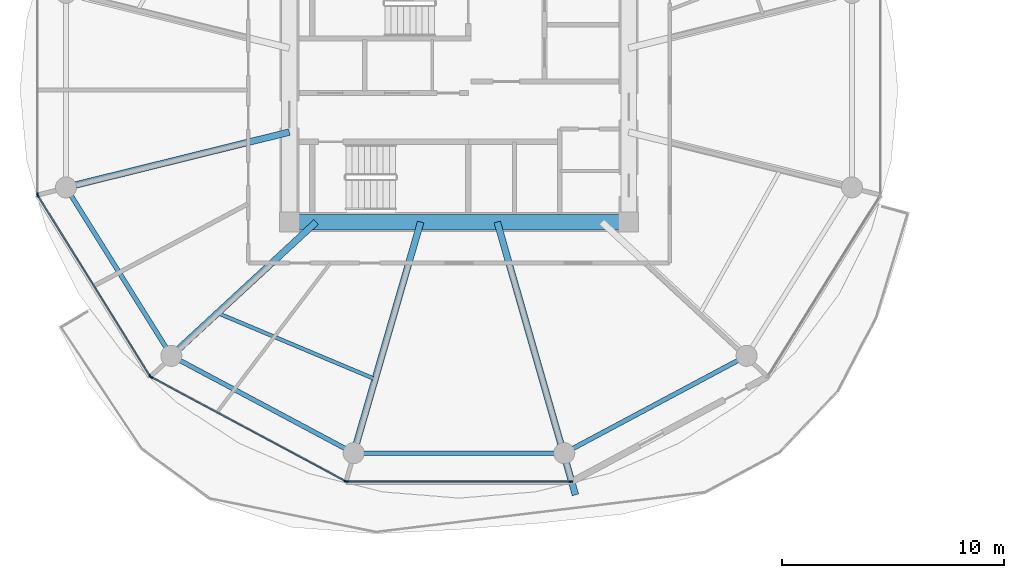
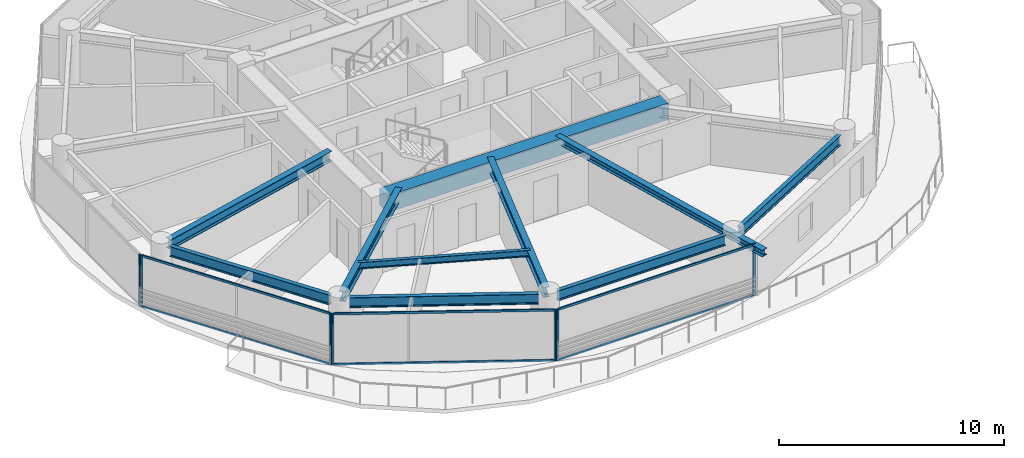
# One storey, part 2 of 26: 13 members, 10 beams, 4 elements without a shape of their own.
"""IFC4 building model written with IfcOpenShell, lengths in metres."""

from ifc_helpers import new_model, si_unit, direction, frame, origin, origin_2d, place, context, subcontext, project, spatial, rectangle, i_section, extrude, source, transform, mapped, material, layer, layer_set, material_profile, profile_set, type_object, type_shapes, element, aggregate, save


model = new_model("IFC4")

# Units and contexts
model_context = context("Model", 3, precision=1e-05, world=origin(), true_north=direction((0.0, 1.0)))
body_context = subcontext(model_context, "Body", "Model", "MODEL_VIEW")
ifc_project = project(units=[si_unit("LENGTHUNIT", "METRE"), si_unit("AREAUNIT", "SQUARE_METRE"), si_unit("VOLUMEUNIT", "CUBIC_METRE"), si_unit("PLANEANGLEUNIT", "RADIAN"), si_unit("MASSUNIT", "GRAM", prefix="KILO")], contexts=[model_context])

# Site, building, storey
site_placement = place(None, origin())
site = spatial("IfcSite", under=ifc_project, at=site_placement, CompositionType="ELEMENT")
building_placement = place(site_placement, origin())
building = spatial("IfcBuilding", under=site, at=building_placement, Name="Norrkilde Senior Care Towers", CompositionType="ELEMENT")
storey_placement = place(building_placement, frame((0.0, 0.0, 55.14990234375)))
storey = spatial("IfcBuildingStorey", under=building, at=storey_placement, Name="L16", CompositionType="ELEMENT", Elevation=55.14990234375)

# Beams
ifc_material_1 = material(Name="Concrete C60/75", Category="concrete")
ifc_material_profile_1 = material_profile(ifc_material_1, rectangle(XDim=0.699951171875, YDim=0.89990234375, at=origin_2d()), Name="RC BM 700x900")
ifc_profile_set_1 = profile_set([ifc_material_profile_1], Name="Concrete C60/75")
beam_type_1 = type_object("IfcBeamType", Name="Core Coupling Girder 700x900", PredefinedType="USERDEFINED", material=ifc_profile_set_1)
shared_shape_1 = source(origin(), body_context, "Body", "SweptSolid", [
    extrude(rectangle(XDim=0.699951171875, YDim=0.89990234375, at=origin_2d()), origin(), (0.0, 0.0, 1.0), 14.43994140625),
])
type_shapes(beam_type_1, [shared_shape_1])
beam_1_placement = place(storey_placement, frame((-35.219970703125, -5.949951171875, 2.340087890625), z_axis=(1.0, 0.0, 0.0), x_axis=(0.0, 1.0, 0.0)))
element("IfcBeam", 1, at=beam_1_placement, inside=storey, type_object=beam_type_1, Name="L16 Core W S Coupling Girder", ObjectType="GIRDER", PredefinedType="USERDEFINED", context=body_context, shape_type="MappedRepresentation", body=[
    mapped(shared_shape_1, transform((0.0, 0.0, 0.0), x_axis=(1.0, 0.0, 0.0), y_axis=(0.0, 1.0, 0.0), z_axis=(0.0, 0.0, 1.0), scale=1.0)),
])
ifc_material_2 = material(Name="Steel S355", Category="steel")
ifc_material_profile_2 = material_profile(ifc_material_2, i_section(OverallWidth=0.2099609375, OverallDepth=0.550048828125, WebThickness=0.010986328125, FlangeThickness=0.01708984375, FilletRadius=0.02392578125, at=origin_2d()), Name="IPE 550")
ifc_profile_set_2 = profile_set([ifc_material_profile_2], Name="Steel S355")
beam_type_2 = type_object("IfcBeamType", Name="Perimeter Ring Spandrel Z1 IPE550", PredefinedType="SPANDREL", material=ifc_profile_set_2)
shared_shape_2 = source(origin(), body_context, "Body", "SweptSolid", [
    extrude(i_section(OverallWidth=0.2099609375, OverallDepth=0.550048828125, WebThickness=0.010986328125, FlangeThickness=0.01708984375, FilletRadius=0.02392578125, at=origin_2d()), origin(), (0.0, 0.0, 1.0), 8.090576171875),
])
beam_2_placement = place(storey_placement, frame((-45.494140625, -4.755859375, 2.51513671875), z_axis=(0.530004364821, -0.84799491347, 0.0), x_axis=(0.84799491347, 0.530004364821, 0.0)))
element("IfcBeam", 2, at=beam_2_placement, inside=storey, type_object=beam_type_2, Name="L16 Drum W Perimeter Spandrel 07", PredefinedType="SPANDREL", context=body_context, shape_type="MappedRepresentation", body=[
    mapped(shared_shape_2, transform((0.0, 0.0, 0.0), x_axis=(1.0, 0.0, 0.0), y_axis=(0.0, 1.0, 0.0), z_axis=(0.0, 0.0, 1.0), scale=1.0)),
])
ifc_material_profile_3 = material_profile(ifc_material_2, i_section(OverallWidth=0.300048828125, OverallDepth=0.550048828125, WebThickness=0.014892578125, FlangeThickness=0.029052734375, FilletRadius=0.027099609375, at=origin_2d()), Name="HEB 550")
ifc_profile_set_3 = profile_set([ifc_material_profile_3], Name="Steel S355")
beam_type_3 = type_object("IfcBeamType", Name="Radial Floor Beam Z1 HEB550", PredefinedType="BEAM", material=ifc_profile_set_3)
shared_shape_3 = source(origin(), body_context, "Body", "SweptSolid", [
    extrude(i_section(OverallWidth=0.300048828125, OverallDepth=0.550048828125, WebThickness=0.014892578125, FlangeThickness=0.029052734375, FilletRadius=0.027099609375, at=origin_2d()), origin(), (0.0, 0.0, 1.0), 9.94384765625),
])
beam_3_placement = place(storey_placement, frame((-35.64990234375, -1.893310546875, 2.51513671875), z_axis=(-0.970707425182, -0.240264634718, 0.0), x_axis=(0.240264634718, -0.970707425182, 0.0)))
element("IfcBeam", 3, at=beam_3_placement, inside=storey, type_object=beam_type_3, Name="L16 Drum W Radial Floor Beam 07", PredefinedType="BEAM", context=body_context, shape_type="MappedRepresentation", body=[
    mapped(shared_shape_3, transform((0.0, 0.0, 0.0), x_axis=(1.0, 0.0, 0.0), y_axis=(0.0, 1.0, 0.0), z_axis=(0.0, 0.0, 1.0), scale=1.0)),
])
shared_shape_4 = source(origin(), body_context, "Body", "SweptSolid", [
    extrude(i_section(OverallWidth=0.2099609375, OverallDepth=0.550048828125, WebThickness=0.010986328125, FlangeThickness=0.01708984375, FilletRadius=0.02392578125, at=origin_2d()), origin(), (0.0, 0.0, 1.0), 8.452880859375),
])
for number, where, z_axis, x_axis, name in (
    (4, (-40.591552734375, -12.190185546875, 2.51513671875), (0.882368931134, -0.470558252898, 0.0), (0.470558252898, 0.882368931134, 0.0), "L16 Drum W Perimeter Spandrel 08"),
    (5, (-22.866943359375, -16.167724609375, 2.51513671875), (0.882368931134, 0.470558252898, 0.0), (-0.470558252898, 0.882368931134, 0.0), "L16 Drum W Perimeter Spandrel 10"),
):
    element("IfcBeam", number, at=place(storey_placement, frame(where, z_axis=z_axis, x_axis=x_axis)), inside=storey, type_object=beam_type_2, Name=name, PredefinedType="SPANDREL", context=body_context, shape_type="MappedRepresentation", body=[
        mapped(shared_shape_4, transform((0.0, 0.0, 0.0), x_axis=(1.0, 0.0, 0.0), y_axis=(0.0, 1.0, 0.0), z_axis=(0.0, 0.0, 1.0), scale=1.0)),
    ])
shared_shape_5 = source(origin(), body_context, "Body", "SweptSolid", [
    extrude(i_section(OverallWidth=0.300048828125, OverallDepth=0.550048828125, WebThickness=0.014892578125, FlangeThickness=0.029052734375, FilletRadius=0.027099609375, at=origin_2d()), origin(), (0.0, 0.0, 1.0), 8.459716796875),
])
beam_4_placement = place(storey_placement, frame((-34.44140625, -5.949951171875, 2.51513671875), z_axis=(-0.734573269108, -0.678529374686, 0.0), x_axis=(0.678529374686, -0.734573269108, 0.0)))
element("IfcBeam", 6, at=beam_4_placement, inside=storey, type_object=beam_type_3, Name="L16 Drum W Radial Floor Beam 08", PredefinedType="BEAM", context=body_context, shape_type="MappedRepresentation", body=[
    mapped(shared_shape_5, transform((0.0, 0.0, 0.0), x_axis=(1.0, 0.0, 0.0), y_axis=(0.0, 1.0, 0.0), z_axis=(0.0, 0.0, 1.0), scale=1.0)),
])
shared_shape_6 = source(origin(), body_context, "Body", "SweptSolid", [
    extrude(i_section(OverallWidth=0.2099609375, OverallDepth=0.550048828125, WebThickness=0.010986328125, FlangeThickness=0.01708984375, FilletRadius=0.02392578125, at=origin_2d()), origin(), (0.0, 0.0, 1.0), 8.62841796875),
])
type_shapes(beam_type_2, [shared_shape_2, shared_shape_4, shared_shape_6])
beam_5_placement = place(storey_placement, frame((-32.314208984375, -16.37255859375, 2.51513671875), z_axis=(1.0, 0.0, 0.0), x_axis=(0.0, 1.0, 0.0)))
element("IfcBeam", 7, at=beam_5_placement, inside=storey, type_object=beam_type_2, Name="L16 Drum W Perimeter Spandrel 09", PredefinedType="SPANDREL", context=body_context, shape_type="MappedRepresentation", body=[
    mapped(shared_shape_6, transform((0.0, 0.0, 0.0), x_axis=(1.0, 0.0, 0.0), y_axis=(0.0, 1.0, 0.0), z_axis=(0.0, 0.0, 1.0), scale=1.0)),
])
shared_shape_7 = source(origin(), body_context, "Body", "SweptSolid", [
    extrude(i_section(OverallWidth=0.300048828125, OverallDepth=0.550048828125, WebThickness=0.014892578125, FlangeThickness=0.029052734375, FilletRadius=0.027099609375, at=origin_2d()), origin(), (0.0, 0.0, 1.0), 10.4169921875),
])
type_shapes(beam_type_3, [shared_shape_3, shared_shape_5, shared_shape_7])
beam_6_placement = place(storey_placement, frame((-29.72607421875, -5.949951171875, 2.51513671875), z_axis=(-0.278591250785, -0.960409764104, 0.0), x_axis=(0.960409764104, -0.278591250785, 0.0)))
element("IfcBeam", 8, at=beam_6_placement, inside=storey, type_object=beam_type_3, Name="L16 Drum W Radial Floor Beam 09", PredefinedType="BEAM", context=body_context, shape_type="MappedRepresentation", body=[
    mapped(shared_shape_7, transform((0.0, 0.0, 0.0), x_axis=(1.0, 0.0, 0.0), y_axis=(0.0, 1.0, 0.0), z_axis=(0.0, 0.0, 1.0), scale=1.0)),
])
ifc_material_profile_4 = material_profile(ifc_material_2, i_section(OverallWidth=0.169921875, OverallDepth=0.360107421875, WebThickness=0.008056640625, FlangeThickness=0.0126953125, FilletRadius=0.01806640625, at=origin_2d()), Name="IPE 360")
ifc_profile_set_4 = profile_set([ifc_material_profile_4], Name="Steel S355")
beam_type_4 = type_object("IfcBeamType", Name="Secondary Floor Joist IPE360", PredefinedType="JOIST", material=ifc_profile_set_4)
shared_shape_8 = source(origin(), body_context, "Body", "SweptSolid", [
    extrude(i_section(OverallWidth=0.169921875, OverallDepth=0.360107421875, WebThickness=0.008056640625, FlangeThickness=0.0126953125, FilletRadius=0.01806640625, at=origin_2d()), origin(), (0.0, 0.0, 1.0), 7.703857421875),
])
type_shapes(beam_type_4, [shared_shape_8])
beam_7_placement = place(storey_placement, frame((-38.884521484375, -10.05419921875, 2.610107421875), z_axis=(0.921982784465, -0.387230868023, 0.0), x_axis=(0.387230868023, 0.921982784465, 0.0)))
element("IfcBeam", 9, at=beam_7_placement, inside=storey, type_object=beam_type_4, Name="L16 Drum W Secondary Floor Joist 3", PredefinedType="JOIST", context=body_context, shape_type="MappedRepresentation", body=[
    mapped(shared_shape_8, transform((0.0, 0.0, 0.0), x_axis=(1.0, 0.0, 0.0), y_axis=(0.0, 1.0, 0.0), z_axis=(0.0, 0.0, 1.0), scale=1.0)),
])
ifc_material_profile_5 = material_profile(ifc_material_2, i_section(OverallWidth=0.300048828125, OverallDepth=0.360107421875, WebThickness=0.012451171875, FlangeThickness=0.0224609375, FilletRadius=0.027099609375, at=origin_2d()), Name="HEB 360")
ifc_profile_set_5 = profile_set([ifc_material_profile_5], Name="Steel S355")
beam_type_5 = type_object("IfcBeamType", Name="Balcony Crest Cantilever Rib HEB360", PredefinedType="BEAM", material=ifc_profile_set_5)
shared_shape_9 = source(origin(), body_context, "Body", "SweptSolid", [
    extrude(i_section(OverallWidth=0.300048828125, OverallDepth=0.360107421875, WebThickness=0.012451171875, FlangeThickness=0.0224609375, FilletRadius=0.027099609375, at=origin_2d()), origin(), (0.0, 0.0, 1.0), 12.8017578125),
])
type_shapes(beam_type_5, [shared_shape_9])
beam_8_placement = place(storey_placement, frame((-26.27392578125, -5.949951171875, 2.610107421875), z_axis=(0.275572367371, -0.961280328698, 0.0), x_axis=(0.961280328698, 0.275572367371, 0.0)))
element("IfcBeam", 10, at=beam_8_placement, inside=storey, type_object=beam_type_5, Name="L16 Drum W Balcony Cantilever Rib", PredefinedType="BEAM", context=body_context, shape_type="MappedRepresentation", body=[
    mapped(shared_shape_9, transform((0.0, 0.0, 0.0), x_axis=(1.0, 0.0, 0.0), y_axis=(0.0, 1.0, 0.0), z_axis=(0.0, 0.0, 1.0), scale=1.0)),
])

# Curtain wall, member
ifc_material_3 = material(Name="Triple Low-E Insulated Glazing", Category="glass")
ifc_layer = layer(ifc_material_3, 0.199951171875)
ifc_layer_set = layer_set([ifc_layer], Name="Triple Low-E Insulated Glazing")
curtain_wall_type = type_object("IfcCurtainWallType", Name="CW2 Zone 1 Memory Care Curtain Wall", PredefinedType="NOTDEFINED", material=ifc_layer_set)
curtain_wall_1_placement = place(storey_placement, origin())
curtain_wall_1 = element("IfcCurtainWall", 11, at=curtain_wall_1_placement, inside=storey, type_object=curtain_wall_type, Name="L16 Drum W Curtain Wall 05", PredefinedType="NOTDEFINED")
ifc_material_4 = material(Name="Anodised Aluminium", Category="aluminium")
ifc_material_profile_6 = material_profile(ifc_material_4, rectangle(XDim=0.06494140625, YDim=0.159912109375, at=origin_2d()), Name="ALU MULL 65x160")
ifc_profile_set_6 = profile_set([ifc_material_profile_6], Name="Anodised Aluminium")
member_type_1 = type_object("IfcMemberType", Name="Curtain Wall Mullion Z1-Z2 65x160", PredefinedType="MULLION", material=ifc_profile_set_6)
shared_shape_10 = source(origin(), body_context, "Body", "SweptSolid", [
    extrude(rectangle(XDim=0.06494140625, YDim=0.159912109375, at=origin_2d()), origin(), (0.0, 0.0, 1.0), 2.7900390625),
])
type_shapes(member_type_1, [shared_shape_10])
member_1_placement = place(storey_placement, frame((-47.009521484375, -4.69873046875, 0.0), z_axis=(0.0, 0.0, 1.0), x_axis=(-1.0, 0.0, 0.0)))
member_1 = element("IfcMember", 12, at=member_1_placement, type_object=member_type_1, Name="CW-2 mullion 1", PredefinedType="MULLION", context=body_context, shape_type="MappedRepresentation", body=[
    mapped(shared_shape_10, transform((0.0, 0.0, 0.0), x_axis=(1.0, 0.0, 0.0), y_axis=(0.0, 1.0, 0.0), z_axis=(0.0, 0.0, 1.0), scale=1.0)),
])
aggregate(curtain_wall_1, [member_1])

# Curtain wall, members
curtain_wall_2_placement = place(storey_placement, origin())
curtain_wall_2 = element("IfcCurtainWall", 13, at=curtain_wall_2_placement, inside=storey, type_object=curtain_wall_type, Name="L16 Drum W Curtain Wall 06", PredefinedType="NOTDEFINED")
member_2_placement = place(storey_placement, frame((-41.93310546875, -12.898193359375, 0.0), z_axis=(0.0, 0.0, 1.0), x_axis=(-0.849305943117, -0.527900951871, 0.0)))
member_2 = element("IfcMember", 14, at=member_2_placement, type_object=member_type_1, Name="CW-2 mullion 1", PredefinedType="MULLION", context=body_context, shape_type="MappedRepresentation", body=[
    mapped(shared_shape_10, transform((0.0, 0.0, 0.0), x_axis=(1.0, 0.0, 0.0), y_axis=(0.0, 1.0, 0.0), z_axis=(0.0, 0.0, 1.0), scale=1.0)),
])
member_3_placement = place(storey_placement, frame((-46.9921875, -4.7587890625, 0.0), z_axis=(0.0, 0.0, 1.0), x_axis=(-0.849305943117, -0.527900951871, 0.0)))
member_3 = element("IfcMember", 15, at=member_3_placement, type_object=member_type_1, Name="CW-2 mullion 2", PredefinedType="MULLION", context=body_context, shape_type="MappedRepresentation", body=[
    mapped(shared_shape_10, transform((0.0, 0.0, 0.0), x_axis=(1.0, 0.0, 0.0), y_axis=(0.0, 1.0, 0.0), z_axis=(0.0, 0.0, 1.0), scale=1.0)),
])

curtain_wall_3_placement = place(storey_placement, origin())
curtain_wall_3 = element("IfcCurtainWall", 16, at=curtain_wall_3_placement, inside=storey, type_object=curtain_wall_type, Name="L16 Drum W Curtain Wall 07", PredefinedType="NOTDEFINED")
member_4_placement = place(storey_placement, frame((-33.122314453125, -17.641845703125, 0.0), z_axis=(0.0, 0.0, 1.0), x_axis=(-0.472607802456, -0.881272866403, 0.0)))
member_4 = element("IfcMember", 17, at=member_4_placement, type_object=member_type_1, Name="CW-2 mullion 1", PredefinedType="MULLION", context=body_context, shape_type="MappedRepresentation", body=[
    mapped(shared_shape_10, transform((0.0, 0.0, 0.0), x_axis=(1.0, 0.0, 0.0), y_axis=(0.0, 1.0, 0.0), z_axis=(0.0, 0.0, 1.0), scale=1.0)),
])
member_5_placement = place(storey_placement, frame((-41.88720703125, -12.941162109375, 0.0), z_axis=(0.0, 0.0, 1.0), x_axis=(-0.472607802456, -0.881272866403, 0.0)))
member_5 = element("IfcMember", 18, at=member_5_placement, type_object=member_type_1, Name="CW-2 mullion 2", PredefinedType="MULLION", context=body_context, shape_type="MappedRepresentation", body=[
    mapped(shared_shape_10, transform((0.0, 0.0, 0.0), x_axis=(1.0, 0.0, 0.0), y_axis=(0.0, 1.0, 0.0), z_axis=(0.0, 0.0, 1.0), scale=1.0)),
])

curtain_wall_4_placement = place(storey_placement, origin())
curtain_wall_4 = element("IfcCurtainWall", 19, at=curtain_wall_4_placement, inside=storey, type_object=curtain_wall_type, Name="L16 Drum W Curtain Wall 08", PredefinedType="NOTDEFINED")
member_6_placement = place(storey_placement, frame((-22.93896484375, -17.6572265625, 0.0), z_axis=(0.0, 0.0, 1.0), x_axis=(0.0, -1.0, 0.0)))
member_6 = element("IfcMember", 20, at=member_6_placement, type_object=member_type_1, Name="CW-2 mullion 1", PredefinedType="MULLION", context=body_context, shape_type="MappedRepresentation", body=[
    mapped(shared_shape_10, transform((0.0, 0.0, 0.0), x_axis=(1.0, 0.0, 0.0), y_axis=(0.0, 1.0, 0.0), z_axis=(0.0, 0.0, 1.0), scale=1.0)),
])
member_7_placement = place(storey_placement, frame((-33.06103515625, -17.6572265625, 0.0), z_axis=(0.0, 0.0, 1.0), x_axis=(0.0, -1.0, 0.0)))
member_7 = element("IfcMember", 21, at=member_7_placement, type_object=member_type_1, Name="CW-2 mullion 2", PredefinedType="MULLION", context=body_context, shape_type="MappedRepresentation", body=[
    mapped(shared_shape_10, transform((0.0, 0.0, 0.0), x_axis=(1.0, 0.0, 0.0), y_axis=(0.0, 1.0, 0.0), z_axis=(0.0, 0.0, 1.0), scale=1.0)),
])

# Member
ifc_material_profile_7 = material_profile(ifc_material_4, rectangle(XDim=0.06005859375, YDim=0.1201171875, at=origin_2d()), Name="ALU TRAN 60x120")
ifc_profile_set_7 = profile_set([ifc_material_profile_7], Name="Anodised Aluminium")
member_type_2 = type_object("IfcMemberType", Name="Curtain Wall Transom Typical 60x120", PredefinedType="USERDEFINED", material=ifc_profile_set_7)
shared_shape_11 = source(origin(), body_context, "Body", "SweptSolid", [
    extrude(rectangle(XDim=0.06005859375, YDim=0.1201171875, at=origin_2d()), origin(), (0.0, 0.0, 1.0), 9.5185546875),
])
member_8_placement = place(storey_placement, frame((-41.9501953125, -12.87060546875, 0.030029296875), z_axis=(-0.527901620669, 0.849305527413, 0.0), x_axis=(-0.849305527413, -0.527901620669, 0.0)))
member_8 = element("IfcMember", 22, at=member_8_placement, type_object=member_type_2, Name="CW-2 transom 1.1", ObjectType="TRANSOM", PredefinedType="USERDEFINED", context=body_context, shape_type="MappedRepresentation", body=[
    mapped(shared_shape_11, transform((0.0, 0.0, 0.0), x_axis=(1.0, 0.0, 0.0), y_axis=(0.0, 1.0, 0.0), z_axis=(0.0, 0.0, 1.0), scale=1.0)),
])

member_9_placement = place(storey_placement, frame((-41.9501953125, -12.87060546875, 2.760009765625), z_axis=(-0.527901620669, 0.849305527413, 0.0), x_axis=(-0.849305527413, -0.527901620669, 0.0)))
member_9 = element("IfcMember", 23, at=member_9_placement, type_object=member_type_2, Name="CW-2 transom 1.2", ObjectType="TRANSOM", PredefinedType="USERDEFINED", context=body_context, shape_type="MappedRepresentation", body=[
    mapped(shared_shape_11, transform((0.0, 0.0, 0.0), x_axis=(1.0, 0.0, 0.0), y_axis=(0.0, 1.0, 0.0), z_axis=(0.0, 0.0, 1.0), scale=1.0)),
])

aggregate(curtain_wall_2, [member_2, member_3, member_8, member_9])

shared_shape_12 = source(origin(), body_context, "Body", "SweptSolid", [
    extrude(rectangle(XDim=0.06005859375, YDim=0.1201171875, at=origin_2d()), origin(), (0.0, 0.0, 1.0), 9.880859375),
])
member_10_placement = place(storey_placement, frame((-33.15087890625, -17.62646484375, 0.030029296875), z_axis=(-0.881267204043, 0.47261836092, 0.0), x_axis=(-0.47261836092, -0.881267204043, 0.0)))
member_10 = element("IfcMember", 24, at=member_10_placement, type_object=member_type_2, Name="CW-2 transom 1.1", ObjectType="TRANSOM", PredefinedType="USERDEFINED", context=body_context, shape_type="MappedRepresentation", body=[
    mapped(shared_shape_12, transform((0.0, 0.0, 0.0), x_axis=(1.0, 0.0, 0.0), y_axis=(0.0, 1.0, 0.0), z_axis=(0.0, 0.0, 1.0), scale=1.0)),
])

member_11_placement = place(storey_placement, frame((-33.15087890625, -17.62646484375, 2.760009765625), z_axis=(-0.881267204043, 0.47261836092, 0.0), x_axis=(-0.47261836092, -0.881267204043, 0.0)))
member_11 = element("IfcMember", 25, at=member_11_placement, type_object=member_type_2, Name="CW-2 transom 1.2", ObjectType="TRANSOM", PredefinedType="USERDEFINED", context=body_context, shape_type="MappedRepresentation", body=[
    mapped(shared_shape_12, transform((0.0, 0.0, 0.0), x_axis=(1.0, 0.0, 0.0), y_axis=(0.0, 1.0, 0.0), z_axis=(0.0, 0.0, 1.0), scale=1.0)),
])

aggregate(curtain_wall_3, [member_4, member_5, member_10, member_11])

shared_shape_13 = source(origin(), body_context, "Body", "SweptSolid", [
    extrude(rectangle(XDim=0.06005859375, YDim=0.1201171875, at=origin_2d()), origin(), (0.0, 0.0, 1.0), 10.05712890625),
])
type_shapes(member_type_2, [shared_shape_11, shared_shape_12, shared_shape_13])
member_12_placement = place(storey_placement, frame((-22.971435546875, -17.6572265625, 0.030029296875), z_axis=(-1.0, 0.0, 0.0), x_axis=(0.0, -1.0, 0.0)))
member_12 = element("IfcMember", 26, at=member_12_placement, type_object=member_type_2, Name="CW-2 transom 1.1", ObjectType="TRANSOM", PredefinedType="USERDEFINED", context=body_context, shape_type="MappedRepresentation", body=[
    mapped(shared_shape_13, transform((0.0, 0.0, 0.0), x_axis=(1.0, 0.0, 0.0), y_axis=(0.0, 1.0, 0.0), z_axis=(0.0, 0.0, 1.0), scale=1.0)),
])

member_13_placement = place(storey_placement, frame((-22.971435546875, -17.6572265625, 2.760009765625), z_axis=(-1.0, 0.0, 0.0), x_axis=(0.0, -1.0, 0.0)))
member_13 = element("IfcMember", 27, at=member_13_placement, type_object=member_type_2, Name="CW-2 transom 1.2", ObjectType="TRANSOM", PredefinedType="USERDEFINED", context=body_context, shape_type="MappedRepresentation", body=[
    mapped(shared_shape_13, transform((0.0, 0.0, 0.0), x_axis=(1.0, 0.0, 0.0), y_axis=(0.0, 1.0, 0.0), z_axis=(0.0, 0.0, 1.0), scale=1.0)),
])

aggregate(curtain_wall_4, [member_6, member_7, member_12, member_13])

save(model, "model.ifc")
